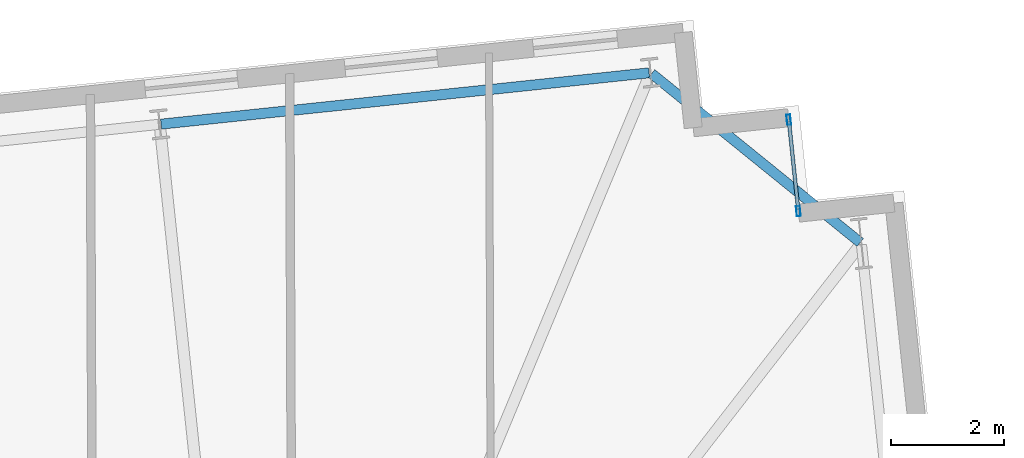
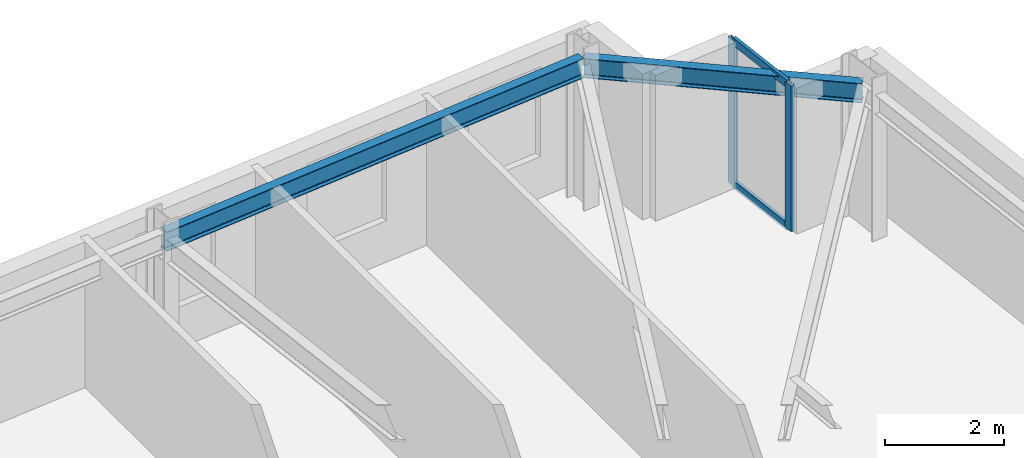
# One storey, part 10 of 19: 4 members, 2 beams, 1 element without a shape of its own.
"""IFC4 building model written with IfcOpenShell, lengths in metres."""

from ifc_helpers import new_model, si_unit, direction, frame, origin, origin_2d, place, context, subcontext, project, spatial, hollow_rectangle, i_section, extrude, material, layer, layer_set, material_profile, profile_set, type_object, element, aggregate, save


model = new_model("IFC4")

# Units and contexts
model_context = context("Model", 3, precision=1e-05, world=origin(), true_north=direction((0.0, 1.0)))
body_context = subcontext(model_context, "Body", "Model", "MODEL_VIEW")
ifc_project = project(units=[si_unit("LENGTHUNIT", "METRE"), si_unit("AREAUNIT", "SQUARE_METRE"), si_unit("VOLUMEUNIT", "CUBIC_METRE"), si_unit("PLANEANGLEUNIT", "RADIAN"), si_unit("MASSUNIT", "GRAM", prefix="KILO")], contexts=[model_context])

# Site, building, storey
site_placement = place(None, origin())
site = spatial("IfcSite", under=ifc_project, at=site_placement, CompositionType="ELEMENT")
building_placement = place(site_placement, origin())
building = spatial("IfcBuilding", under=site, at=building_placement, Name="Qobustan Lattice House", CompositionType="ELEMENT")
storey_placement = place(building_placement, frame((0.0, 0.0, 122.550048828125)))
storey = spatial("IfcBuildingStorey", under=building, at=storey_placement, Name="L34", CompositionType="ELEMENT", Elevation=122.550048828125)

# Beams
ifc_material_1 = material(Name="Steel S355", Category="steel")
ifc_material_profile_1 = material_profile(ifc_material_1, i_section(OverallWidth=0.179931640625, OverallDepth=0.39990234375, WebThickness=0.008544921875, FlangeThickness=0.013427734375, FilletRadius=0.02099609375, at=origin_2d()), Name="IPE400")
ifc_profile_set_1 = profile_set([ifc_material_profile_1], Name="Steel S355")
beam_type = type_object("IfcBeamType", Name="BM-SPD-IPE400", PredefinedType="SPANDREL", material=ifc_profile_set_1)
beam_1_placement = place(storey_placement, frame((29.536865234375, 19.484619140625, 2.800048828125), z_axis=(-0.777140911545, 0.629326627121, 0.0), x_axis=(-0.629326627121, -0.777140911545, 0.0)))
element("IfcBeam", 1, at=beam_1_placement, inside=storey, type_object=beam_type, Name="L34 perimeter spandrel E4-N1", PredefinedType="SPANDREL", context=body_context, shape_type="SweptSolid", body=[
    extrude(i_section(OverallWidth=0.179931640625, OverallDepth=0.39990234375, WebThickness=0.008544921875, FlangeThickness=0.013427734375, FilletRadius=0.02099609375, at=origin_2d()), origin(), (0.0, 0.0, 1.0), 4.758544921875),
])
beam_2_placement = place(storey_placement, frame((25.794677734375, 22.492431640625, 2.800048828125), z_axis=(-0.994521586424, -0.104531402636, 0.0), x_axis=(0.104531402636, -0.994521586424, 0.0)))
element("IfcBeam", 2, at=beam_2_placement, inside=storey, type_object=beam_type, Name="L34 perimeter spandrel N1-N2", PredefinedType="SPANDREL", context=body_context, shape_type="SweptSolid", body=[
    extrude(i_section(OverallWidth=0.179931640625, OverallDepth=0.39990234375, WebThickness=0.008544921875, FlangeThickness=0.013427734375, FilletRadius=0.02099609375, at=origin_2d()), origin(), (0.0, 0.0, 1.0), 8.699951171875),
])

# Curtain wall, members
ifc_material_2 = material(Name="Anodised aluminium and low-E glazing", Category="aluminium")
ifc_layer = layer(ifc_material_2, 0.219970703125)
ifc_layer_set = layer_set([ifc_layer], Name="Anodised aluminium and low-E glazing")
curtain_wall_type = type_object("IfcCurtainWallType", Name="CW-FAC-01", PredefinedType="USERDEFINED", material=ifc_layer_set)
curtain_wall_placement = place(storey_placement, origin())
curtain_wall = element("IfcCurtainWall", 3, at=curtain_wall_placement, inside=storey, type_object=curtain_wall_type, Name="L34 serrated corner faceted glazing 13", ObjectType="CURTAIN WALL", PredefinedType="USERDEFINED")
ifc_material_3 = material(Name="Anodised aluminium EN AW-6063 T6", Category="aluminium")
ifc_material_profile_2 = material_profile(ifc_material_3, hollow_rectangle(XDim=0.070068359375, YDim=0.179931640625, WallThickness=0.00439453125, at=origin_2d()), Name="CWM-180x70")
ifc_profile_set_2 = profile_set([ifc_material_profile_2], Name="Anodised aluminium EN AW-6063 T6")
member_type_1 = type_object("IfcMemberType", Name="CWM-STD-180", PredefinedType="MULLION", material=ifc_profile_set_2)
member_1_placement = place(storey_placement, frame((28.27001953125, 21.66162109375, 0.0), z_axis=(0.0, 0.0, 1.0), x_axis=(0.994521878892, 0.104528620025, 0.0)))
member_1 = element("IfcMember", 4, at=member_1_placement, type_object=member_type_1, Name="CW-F1 mullion 1", PredefinedType="MULLION", context=body_context, shape_type="SweptSolid", body=[
    extrude(hollow_rectangle(XDim=0.070068359375, YDim=0.179931640625, WallThickness=0.00439453125, at=origin_2d()), origin(), (0.0, 0.0, 1.0), 3.0),
])
member_2_placement = place(storey_placement, frame((28.4404296875, 20.04052734375, 0.0), z_axis=(0.0, 0.0, 1.0), x_axis=(0.994521878892, 0.104528620025, 0.0)))
member_2 = element("IfcMember", 5, at=member_2_placement, type_object=member_type_1, Name="CW-F1 mullion 2", PredefinedType="MULLION", context=body_context, shape_type="SweptSolid", body=[
    extrude(hollow_rectangle(XDim=0.070068359375, YDim=0.179931640625, WallThickness=0.00439453125, at=origin_2d()), origin(), (0.0, 0.0, 1.0), 3.0),
])
ifc_material_4 = material(Name="Anodised aluminium EN AW-6063 T6", Category="aluminium")
ifc_material_profile_3 = material_profile(ifc_material_4, hollow_rectangle(XDim=0.06494140625, YDim=0.159912109375, WallThickness=0.00390625, at=origin_2d()), Name="CWT-160x65")
ifc_profile_set_3 = profile_set([ifc_material_profile_3], Name="Anodised aluminium EN AW-6063 T6")
member_type_2 = type_object("IfcMemberType", Name="CWT-HOR-160", PredefinedType="USERDEFINED", material=ifc_profile_set_3)
member_3_placement = place(storey_placement, frame((28.273681640625, 21.626708984375, 0.032470703125), z_axis=(0.104538150424, -0.994520877159, 0.0), x_axis=(0.994520877159, 0.104538150424, 0.0)))
member_3 = element("IfcMember", 6, at=member_3_placement, type_object=member_type_2, Name="CW-F1 transom 1.1", ObjectType="TRANSOM", PredefinedType="USERDEFINED", context=body_context, shape_type="SweptSolid", body=[
    extrude(hollow_rectangle(XDim=0.06494140625, YDim=0.159912109375, WallThickness=0.00390625, at=origin_2d()), origin(), (0.0, 0.0, 1.0), 1.56005859375),
])
member_4_placement = place(storey_placement, frame((28.273681640625, 21.626708984375, 2.967529296875), z_axis=(0.104538150424, -0.994520877159, 0.0), x_axis=(0.994520877159, 0.104538150424, 0.0)))
member_4 = element("IfcMember", 7, at=member_4_placement, type_object=member_type_2, Name="CW-F1 transom 1.2", ObjectType="TRANSOM", PredefinedType="USERDEFINED", context=body_context, shape_type="SweptSolid", body=[
    extrude(hollow_rectangle(XDim=0.06494140625, YDim=0.159912109375, WallThickness=0.00390625, at=origin_2d()), origin(), (0.0, 0.0, 1.0), 1.56005859375),
])
aggregate(curtain_wall, [member_1, member_2, member_3, member_4])

save(model, "model.ifc")
